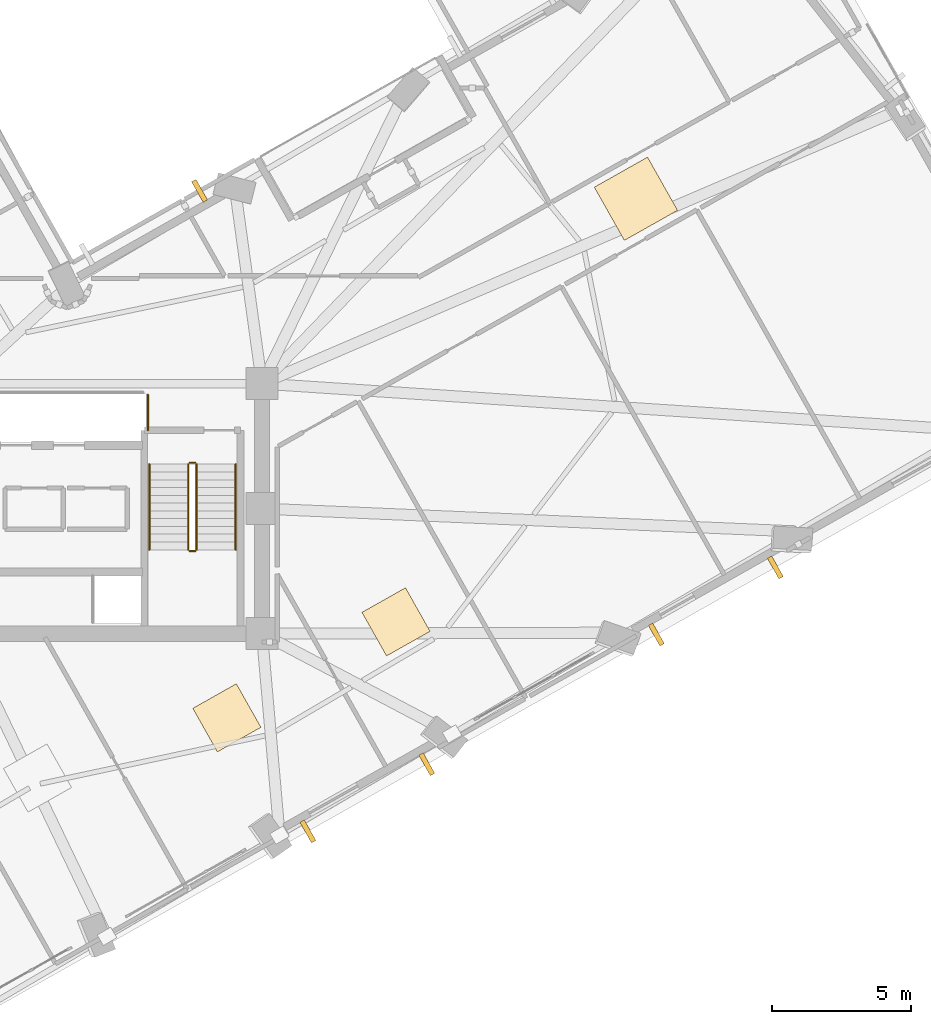
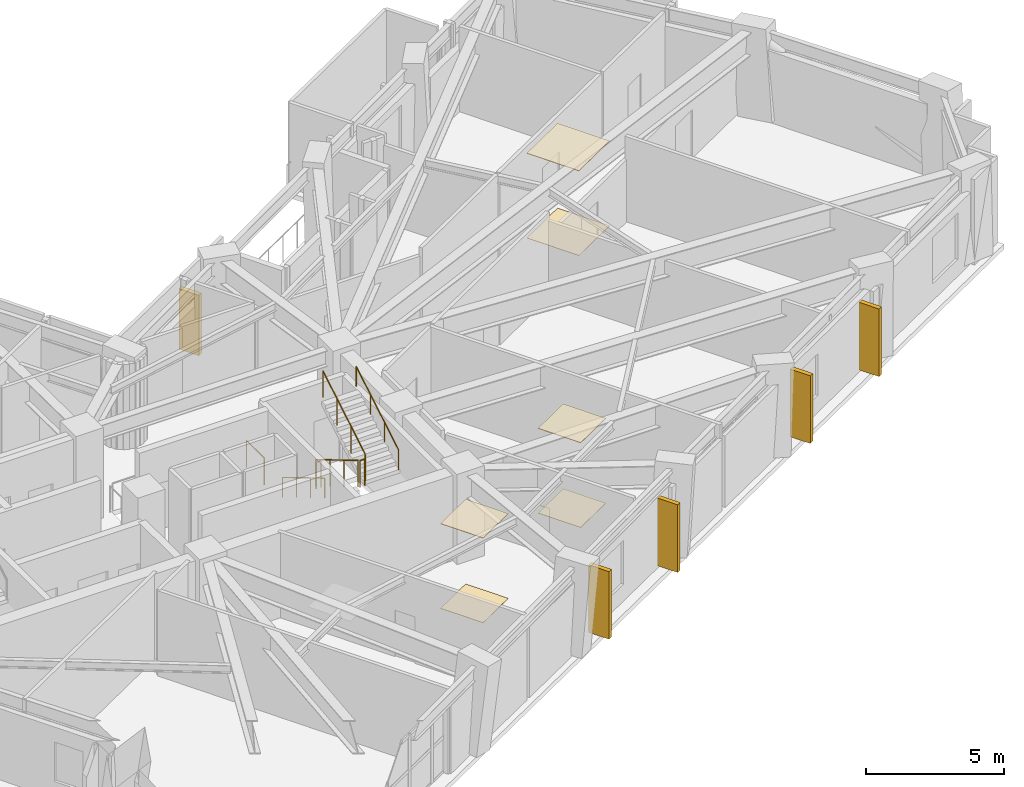
# One storey, part 16 of 18: 7 railings, 6 coverings, 5 shading devices.
"""IFC4 building model written with IfcOpenShell, lengths in metres."""

from ifc_helpers import new_model, si_unit, direction, frame, origin, origin_2d, place, context, subcontext, project, spatial, rectangle, circle, extrude, material, layer, layer_set, type_object, element, save


model = new_model("IFC4")

# Units and contexts
model_context = context("Model", 3, precision=1e-05, world=origin(), true_north=direction((0.0, 1.0)))
body_context = subcontext(model_context, "Body", "Model", "MODEL_VIEW")
ifc_project = project(units=[si_unit("LENGTHUNIT", "METRE"), si_unit("AREAUNIT", "SQUARE_METRE"), si_unit("VOLUMEUNIT", "CUBIC_METRE"), si_unit("PLANEANGLEUNIT", "RADIAN"), si_unit("MASSUNIT", "GRAM", prefix="KILO")], contexts=[model_context])

# Site, building, storey
site_placement = place(None, origin())
site = spatial("IfcSite", under=ifc_project, at=site_placement, CompositionType="ELEMENT")
building_placement = place(site_placement, origin())
building = spatial("IfcBuilding", under=site, at=building_placement, Name="Gaonmaruhae Medical Tower", CompositionType="ELEMENT")
storey_placement = place(building_placement, frame((0.0, 0.0, 149.800048828125)))
storey = spatial("IfcBuildingStorey", under=building, at=storey_placement, Name="L35", CompositionType="ELEMENT", Elevation=149.800048828125)

# Coverings
ifc_material_1 = material(Name="Acoustic mineral ceiling tile", Category="finish")
ifc_layer_1 = layer(ifc_material_1, 0.02490234375)
ifc_layer_set_1 = layer_set([ifc_layer_1], Name="Acoustic mineral ceiling tile")
covering_type_1 = type_object("IfcCoveringType", Name="CLG-01 Antimicrobial Acoustic Mineral Ceiling", PredefinedType="CEILING", material=ifc_layer_set_1)
covering_1_placement = place(storey_placement, frame((49.06201171875, 23.453125, 3.7548828125), z_axis=(0.0, 0.0, 1.0), x_axis=(0.8707850851, 0.491663844071, 0.0)))
element("IfcCovering", 1, at=covering_1_placement, inside=storey, type_object=covering_type_1, Name="L35 Clinical Corridor Acoustic Ceiling", PredefinedType="CEILING", context=body_context, shape_type="SweptSolid", body=[
    extrude(rectangle(XDim=2.199951171875, YDim=2.199951171875, at=origin_2d()), origin(), (0.0, 0.0, 1.0), 0.02490234375),
])
for number, where, z_axis, x_axis, name in (
    (2, (34.337890625, 4.770751953125, 3.7548828125), (0.0, 0.0, 1.0), (0.8707850851, 0.491663844071, 0.0), "L35 Clinical Room Acoustic Ceiling 3"),
    (3, (40.42626953125, 8.225341796875, 3.7548828125), (0.0, 0.0, 1.0), (0.8707850851, 0.491663844071, 0.0), "L35 Clinical Room Acoustic Ceiling 4"),
):
    element("IfcCovering", number, at=place(storey_placement, frame(where, z_axis=z_axis, x_axis=x_axis)), inside=storey, type_object=covering_type_1, Name=name, PredefinedType="CEILING", context=body_context, shape_type="SweptSolid", body=[
        extrude(rectangle(XDim=1.800048828125, YDim=1.800048828125, at=origin_2d()), origin(), (0.0, 0.0, 1.0), 0.02490234375),
    ])
ifc_material_2 = material(Name="Seamless clinical vinyl flooring", Category="finish")
ifc_layer_2 = layer(ifc_material_2, 0.014892578125)
ifc_layer_set_2 = layer_set([ifc_layer_2], Name="Seamless clinical vinyl flooring")
covering_type_2 = type_object("IfcCoveringType", Name="FLR-01 Seamless Clinical Antistatic Vinyl Flooring", PredefinedType="FLOORING", material=ifc_layer_set_2)
covering_2_placement = place(storey_placement, frame((49.06201171875, 23.453125, 0.00048828125), z_axis=(0.0, 0.0, 1.0), x_axis=(0.8707850851, 0.491663844071, 0.0)))
element("IfcCovering", 4, at=covering_2_placement, inside=storey, type_object=covering_type_2, Name="L35 Clinical Corridor Vinyl Flooring", PredefinedType="FLOORING", context=body_context, shape_type="SweptSolid", body=[
    extrude(rectangle(XDim=2.199951171875, YDim=2.199951171875, at=origin_2d()), origin(), (0.0, 0.0, 1.0), 0.014892578125),
])
for number, where, z_axis, x_axis, name in (
    (5, (34.337890625, 4.770751953125, 0.0), (0.0, 0.0, 1.0), (0.8707850851, 0.491663844071, 0.0), "L35 Clinical Room Vinyl Flooring 3"),
    (6, (40.42626953125, 8.225341796875, 0.0), (0.0, 0.0, 1.0), (0.8707850851, 0.491663844071, 0.0), "L35 Clinical Room Vinyl Flooring 4"),
):
    element("IfcCovering", number, at=place(storey_placement, frame(where, z_axis=z_axis, x_axis=x_axis)), inside=storey, type_object=covering_type_2, Name=name, PredefinedType="FLOORING", context=body_context, shape_type="SweptSolid", body=[
        extrude(rectangle(XDim=1.800048828125, YDim=1.800048828125, at=origin_2d()), origin(), (0.0, 0.0, 1.0), 0.014892578125),
    ])

# Railings
ifc_material_3 = material(Name="Stainless steel 304 handrail", Category="steel")
railing_type_1 = type_object("IfcRailingType", Name="HR-092 Continuous Stainless Steel Stair Handrail", PredefinedType="HANDRAIL", material=ifc_material_3)
railing_1_placement = place(storey_placement, frame((31.550048828125, 13.89990234375, 0.16650390625)))
element("IfcRailing", 7, at=railing_1_placement, inside=storey, type_object=railing_type_1, Name="L35 ST-02 stair handrail 1", PredefinedType="HANDRAIL", context=body_context, shape_type="SweptSolid", body=[
    extrude(circle(Radius=0.02392578125, at=origin_2d()), frame((0.0, 0.0, 0.8759765625), z_axis=(0.0, -0.859260807169, 0.511537745687), x_axis=(1.0, 0.0, 0.0)), (0.0, 0.0, 1.0), 3.584228515625),
    extrude(circle(Radius=0.02099609375, at=origin_2d()), origin(), (0.0, 0.0, 1.0), 0.851806640625),
    extrude(circle(Radius=0.02099609375, at=origin_2d()), frame((0.0, -1.026611328125, 0.611083984375)), (0.0, 0.0, 1.0), 0.851806640625),
    extrude(circle(Radius=0.02099609375, at=origin_2d()), frame((0.0, -2.05322265625, 1.222412109375)), (0.0, 0.0, 1.0), 0.851806640625),
    extrude(circle(Radius=0.02099609375, at=origin_2d()), frame((0.0, -3.079833984375, 1.83349609375)), (0.0, 0.0, 1.0), 0.851806640625),
])
railing_2_placement = place(storey_placement, frame((34.64990234375, 10.820068359375, 2.16650390625)))
element("IfcRailing", 8, at=railing_2_placement, inside=storey, type_object=railing_type_1, Name="L35 ST-02 stair handrail 2", PredefinedType="HANDRAIL", context=body_context, shape_type="SweptSolid", body=[
    extrude(circle(Radius=0.02392578125, at=origin_2d()), frame((0.0, 0.0, 0.8759765625), z_axis=(0.0, 0.859260807169, 0.511537745687), x_axis=(-1.0, 0.0, 0.0)), (0.0, 0.0, 1.0), 3.584228515625),
    extrude(circle(Radius=0.02099609375, at=origin_2d()), origin(), (0.0, 0.0, 1.0), 0.851806640625),
    extrude(circle(Radius=0.02099609375, at=origin_2d()), frame((0.0, 1.026611328125, 0.611083984375)), (0.0, 0.0, 1.0), 0.851806640625),
    extrude(circle(Radius=0.02099609375, at=origin_2d()), frame((0.0, 2.05322265625, 1.222412109375)), (0.0, 0.0, 1.0), 0.851806640625),
    extrude(circle(Radius=0.02099609375, at=origin_2d()), frame((0.0, 3.079833984375, 1.83349609375)), (0.0, 0.0, 1.0), 0.851806640625),
])

# Shading devices
ifc_material_4 = material(Name="Pigmented coral precast concrete C45/55", Category="concrete")
shading_device_type = type_object("IfcShadingDeviceType", Name="SD-FIN1 Tower Vertical Coral Precast Shading Fin", PredefinedType="USERDEFINED", material=ifc_material_4)
for number, where, z_axis, x_axis, name in (
    (9, (41.5322265625, 3.101318359375, 0.08251953125), (0.0, 0.0, 1.0), (-0.8707850851, -0.491663844071, 0.0), "L35 Vertical Coral Precast Shading Fin S03"),
    (10, (37.253173828125, 0.68505859375, 0.08251953125), (0.0, 0.0, 1.0), (-0.8707850851, -0.491663844071, 0.0), "L35 Vertical Coral Precast Shading Fin S03B"),
    (11, (54.078857421875, 10.185302734375, 0.08251953125), (0.0, 0.0, 1.0), (-0.8707850851, -0.491663844071, 0.0), "L35 Vertical Coral Precast Shading Fin S05"),
    (12, (49.796142578125, 7.76708984375, 0.08251953125), (0.0, 0.0, 1.0), (-0.8707850851, -0.491663844071, 0.0), "L35 Vertical Coral Precast Shading Fin S05B"),
):
    element("IfcShadingDevice", number, at=place(storey_placement, frame(where, z_axis=z_axis, x_axis=x_axis)), inside=storey, type_object=shading_device_type, Name=name, ObjectType="FIN", PredefinedType="USERDEFINED", context=body_context, shape_type="SweptSolid", body=[
        extrude(rectangle(XDim=0.179931640625, YDim=0.85009765625, at=origin_2d()), origin(), (0.0, 0.0, 1.0), 3.0),
    ])
shading_device_placement = place(storey_placement, frame((33.355712890625, 23.737548828125, 0.0400390625), z_axis=(0.0, 0.0, 1.0), x_axis=(0.8707850851, 0.491663844071, 0.0)))
element("IfcShadingDevice", 13, at=shading_device_placement, inside=storey, type_object=shading_device_type, Name="L35 Vertical Coral Precast Shading Fin EN03B", ObjectType="FIN", PredefinedType="USERDEFINED", context=body_context, shape_type="SweptSolid", body=[
    extrude(rectangle(XDim=0.179931640625, YDim=0.85009765625, at=origin_2d()), origin(), (0.0, 0.0, 1.0), 2.68505859375),
])

# Railings
ifc_material_5 = material(Name="Stainless steel 304 balustrade", Category="steel")
railing_type_2 = type_object("IfcRailingType", Name="SG-112 Stair Well & Ramp Void Safety Balustrade", PredefinedType="BALUSTRADE", material=ifc_material_5)
railing_3_placement = place(storey_placement, frame((32.949951171875, 13.89990234375, 0.16650390625)))
element("IfcRailing", 14, at=railing_3_placement, inside=storey, type_object=railing_type_2, Name="L35 ST-02 stair guard 1", PredefinedType="BALUSTRADE", context=body_context, shape_type="SweptSolid", body=[
    extrude(circle(Radius=0.02392578125, at=origin_2d()), frame((0.0, 0.0, 1.17578125), z_axis=(0.0, -0.859260807169, 0.511537745687), x_axis=(1.0, 0.0, 0.0)), (0.0, 0.0, 1.0), 3.584228515625),
    extrude(circle(Radius=0.02099609375, at=origin_2d()), origin(), (0.0, 0.0, 1.0), 1.15185546875),
    extrude(circle(Radius=0.02099609375, at=origin_2d()), frame((0.0, -1.026611328125, 0.611083984375)), (0.0, 0.0, 1.0), 1.15185546875),
    extrude(circle(Radius=0.02099609375, at=origin_2d()), frame((0.0, -2.05322265625, 1.222412109375)), (0.0, 0.0, 1.0), 1.15185546875),
    extrude(circle(Radius=0.02099609375, at=origin_2d()), frame((0.0, -3.079833984375, 1.83349609375)), (0.0, 0.0, 1.0), 1.15185546875),
])
railing_4_placement = place(storey_placement, frame((33.0, 10.77001953125, 2.0)))
element("IfcRailing", 15, at=railing_4_placement, inside=storey, type_object=railing_type_2, Name="L35 ST-02 stair guard 2", PredefinedType="BALUSTRADE", context=body_context, shape_type="SweptSolid", body=[
    extrude(circle(Radius=0.02392578125, at=origin_2d()), frame((0.0, 0.0, 1.17578125), z_axis=(1.0, 0.0, 0.0), x_axis=(0.0, 1.0, 0.0)), (0.0, 0.0, 1.0), 0.199951171875),
    extrude(circle(Radius=0.02099609375, at=origin_2d()), origin(), (0.0, 0.0, 1.0), 1.15185546875),
    extrude(circle(Radius=0.02099609375, at=origin_2d()), frame((0.199951171875, 0.0, 0.0)), (0.0, 0.0, 1.0), 1.15185546875),
])
railing_5_placement = place(storey_placement, frame((33.25, 10.820068359375, 2.16650390625)))
element("IfcRailing", 16, at=railing_5_placement, inside=storey, type_object=railing_type_2, Name="L35 ST-02 stair guard 3", PredefinedType="BALUSTRADE", context=body_context, shape_type="SweptSolid", body=[
    extrude(circle(Radius=0.02392578125, at=origin_2d()), frame((0.0, 0.0, 1.17578125), z_axis=(0.0, 0.859260807169, 0.511537745687), x_axis=(-1.0, 0.0, 0.0)), (0.0, 0.0, 1.0), 3.584228515625),
    extrude(circle(Radius=0.02099609375, at=origin_2d()), origin(), (0.0, 0.0, 1.0), 1.15185546875),
    extrude(circle(Radius=0.02099609375, at=origin_2d()), frame((0.0, 1.026611328125, 0.611083984375)), (0.0, 0.0, 1.0), 1.15185546875),
    extrude(circle(Radius=0.02099609375, at=origin_2d()), frame((0.0, 2.05322265625, 1.222412109375)), (0.0, 0.0, 1.0), 1.15185546875),
    extrude(circle(Radius=0.02099609375, at=origin_2d()), frame((0.0, 3.079833984375, 1.83349609375)), (0.0, 0.0, 1.0), 1.15185546875),
])
railing_6_placement = place(storey_placement, frame((33.0, 13.949951171875, 0.0)))
element("IfcRailing", 17, at=railing_6_placement, inside=storey, type_object=railing_type_2, Name="L35 ST-02 stair guard 4", PredefinedType="BALUSTRADE", context=body_context, shape_type="SweptSolid", body=[
    extrude(circle(Radius=0.02392578125, at=origin_2d()), frame((0.0, 0.0, 1.17578125), z_axis=(1.0, 0.0, 0.0), x_axis=(0.0, 1.0, 0.0)), (0.0, 0.0, 1.0), 0.199951171875),
    extrude(circle(Radius=0.02099609375, at=origin_2d()), origin(), (0.0, 0.0, 1.0), 1.15185546875),
    extrude(circle(Radius=0.02099609375, at=origin_2d()), frame((0.199951171875, 0.0, 0.0)), (0.0, 0.0, 1.0), 1.15185546875),
])
railing_7_placement = place(storey_placement, frame((31.4951171875, 16.405029296875, 0.0)))
element("IfcRailing", 18, at=railing_7_placement, inside=storey, type_object=railing_type_2, Name="L35 Shaft Edge Safety Guard 14", PredefinedType="BALUSTRADE", context=body_context, shape_type="SweptSolid", body=[
    extrude(circle(Radius=0.02392578125, at=origin_2d()), frame((0.0, 0.0, 1.17578125), z_axis=(0.0, -1.0, 0.0), x_axis=(1.0, 0.0, 0.0)), (0.0, 0.0, 1.0), 1.284912109375),
    extrude(circle(Radius=0.02099609375, at=origin_2d()), origin(), (0.0, 0.0, 1.0), 1.15185546875),
    extrude(circle(Radius=0.02099609375, at=origin_2d()), frame((0.0, -1.284912109375, 0.0)), (0.0, 0.0, 1.0), 1.15185546875),
])

save(model, "model.ifc")
